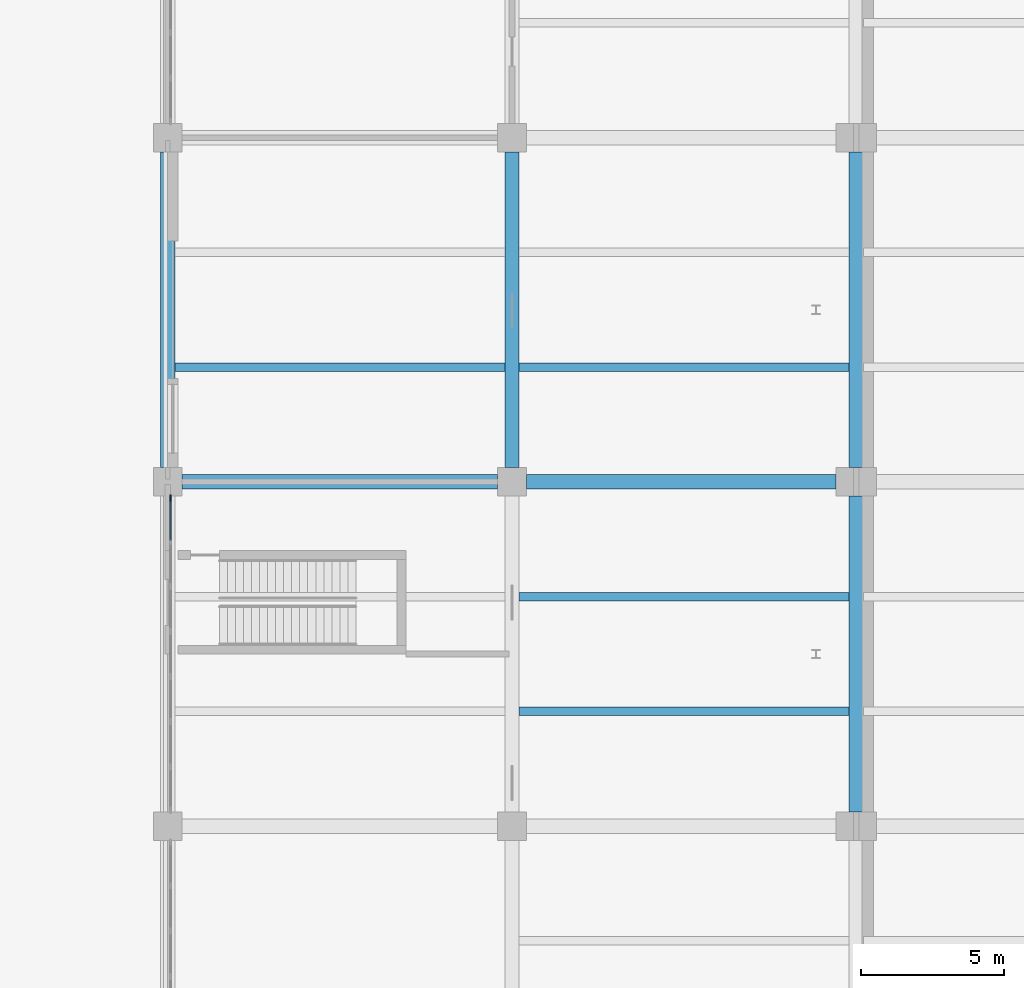
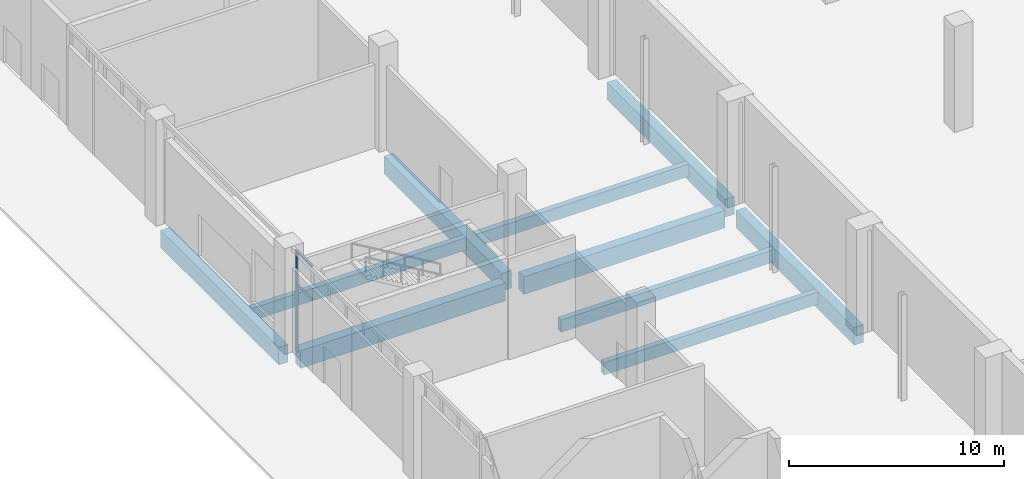
# One storey, part 16 of 59: 10 beams, 3 members, 1 element without a shape of its own.
"""IFC4 building model written with IfcOpenShell, lengths in metres."""

from ifc_helpers import new_model, si_unit, direction, frame, origin, origin_2d, place, context, subcontext, project, spatial, rectangle, extrude, material, layer, layer_set, material_profile, profile_set, type_object, element, aggregate, save


model = new_model("IFC4")

# Units and contexts
model_context = context("Model", 3, precision=1e-05, world=origin(), true_north=direction((0.0, 1.0)))
body_context = subcontext(model_context, "Body", "Model", "MODEL_VIEW")
ifc_project = project(units=[si_unit("LENGTHUNIT", "METRE"), si_unit("AREAUNIT", "SQUARE_METRE"), si_unit("VOLUMEUNIT", "CUBIC_METRE"), si_unit("PLANEANGLEUNIT", "RADIAN"), si_unit("MASSUNIT", "GRAM", prefix="KILO")], contexts=[model_context])

# Site, building, storey
site_placement = place(None, origin())
site = spatial("IfcSite", under=ifc_project, at=site_placement, CompositionType="ELEMENT")
building_placement = place(site_placement, origin())
building = spatial("IfcBuilding", under=site, at=building_placement, Name="Lilac Gate Convention Centre", CompositionType="ELEMENT")
storey_placement = place(building_placement, origin())
storey = spatial("IfcBuildingStorey", under=building, at=storey_placement, Name="L00", CompositionType="ELEMENT", Elevation=0.0)

# Curtain wall, members
ifc_material_1 = material(Name="Aluminium framed double glazing", Category="aluminium")
ifc_layer = layer(ifc_material_1, 0.199951171875)
ifc_layer_set = layer_set([ifc_layer], Name="Aluminium framed double glazing")
curtain_wall_type = type_object("IfcCurtainWallType", Name="Unitised curtain wall 1500", PredefinedType="NOTDEFINED", material=ifc_layer_set)
curtain_wall_placement = place(storey_placement, origin())
curtain_wall = element("IfcCurtainWall", 1, at=curtain_wall_placement, inside=storey, type_object=curtain_wall_type, Name="Curtain wall PW L00 3", PredefinedType="NOTDEFINED")
ifc_material_2 = material(Name="Aluminium alloy 6063", Category="aluminium")
ifc_material_profile_1 = material_profile(ifc_material_2, rectangle(XDim=0.06005859375, YDim=0.219970703125, at=origin_2d()), Name="Curtain wall mullion 60 x 220")
ifc_profile_set_1 = profile_set([ifc_material_profile_1], Name="Aluminium alloy 6063")
member_type_1 = type_object("IfcMemberType", Name="Curtain wall mullion 60 x 220", PredefinedType="MULLION", material=ifc_profile_set_1)
member_1_placement = place(storey_placement, frame((6.10009765625, 185.43994140625, 0.0), z_axis=(0.0, 0.0, 1.0), x_axis=(1.0, 0.0, 0.0)))
member_1 = element("IfcMember", 2, at=member_1_placement, type_object=member_type_1, Name="CW mullion 1", PredefinedType="MULLION", context=body_context, shape_type="SweptSolid", body=[
    extrude(rectangle(XDim=0.06005859375, YDim=0.219970703125, at=origin_2d()), origin(), (0.0, 0.0, 1.0), 5.75),
])
ifc_material_profile_2 = material_profile(ifc_material_2, rectangle(XDim=0.06005859375, YDim=0.1201171875, at=origin_2d()), Name="Curtain wall transom 60 x 120")
ifc_profile_set_2 = profile_set([ifc_material_profile_2], Name="Aluminium alloy 6063")
member_type_2 = type_object("IfcMemberType", Name="Curtain wall transom 60 x 120", PredefinedType="USERDEFINED", material=ifc_profile_set_2)
member_2_placement = place(storey_placement, frame((6.10009765625, 185.43994140625, 3.833251953125), z_axis=(0.0, -1.0, 0.0), x_axis=(1.0, 0.0, 0.0)))
member_2 = element("IfcMember", 3, at=member_2_placement, type_object=member_type_2, Name="CW transom 1.3", ObjectType="TRANSOM", PredefinedType="USERDEFINED", context=body_context, shape_type="SweptSolid", body=[
    extrude(rectangle(XDim=0.06005859375, YDim=0.1201171875, at=origin_2d()), origin(), (0.0, 0.0, 1.0), 1.4814453125),
])
member_3_placement = place(storey_placement, frame((6.10009765625, 185.43994140625, 5.719970703125), z_axis=(0.0, -1.0, 0.0), x_axis=(1.0, 0.0, 0.0)))
member_3 = element("IfcMember", 4, at=member_3_placement, type_object=member_type_2, Name="CW transom 1.4", ObjectType="TRANSOM", PredefinedType="USERDEFINED", context=body_context, shape_type="SweptSolid", body=[
    extrude(rectangle(XDim=0.06005859375, YDim=0.1201171875, at=origin_2d()), origin(), (0.0, 0.0, 1.0), 1.4814453125),
])
aggregate(curtain_wall, [member_1, member_2, member_3])

# Beams
ifc_material_3 = material(Name="Concrete C40", Category="concrete")
ifc_material_profile_3 = material_profile(ifc_material_3, rectangle(XDim=0.5, YDim=1.0, at=origin_2d()), Name="RC 500x1000")
ifc_profile_set_3 = profile_set([ifc_material_profile_3], Name="Concrete C40")
beam_type_1 = type_object("IfcBeamType", Name="Primary beam 500x1000 C40", PredefinedType="BEAM", material=ifc_profile_set_3)
beam_1_placement = place(storey_placement, frame((6.5, 186.0, -0.800048828125), z_axis=(1.0, 0.0, 0.0), x_axis=(0.0, 1.0, 0.0)))
element("IfcBeam", 5, at=beam_1_placement, inside=storey, type_object=beam_type_1, Name="RB1 L00 1/P-2/P", PredefinedType="BEAM", context=body_context, shape_type="SweptSolid", body=[
    extrude(rectangle(XDim=0.5, YDim=1.0, at=origin_2d()), origin(), (0.0, 0.0, 1.0), 11.0),
])
beam_2_placement = place(storey_placement, frame((18.5, 186.0, -0.800048828125), z_axis=(1.0, 0.0, 0.0), x_axis=(0.0, 1.0, 0.0)))
element("IfcBeam", 6, at=beam_2_placement, inside=storey, type_object=beam_type_1, Name="RB1 L00 2/P-3/P", PredefinedType="BEAM", context=body_context, shape_type="SweptSolid", body=[
    extrude(rectangle(XDim=0.5, YDim=1.0, at=origin_2d()), origin(), (0.0, 0.0, 1.0), 10.800048828125),
])
for number, where, z_axis, x_axis, name in (
    (7, (6.0, 186.5, -0.800048828125), (0.0, 1.0, 0.0), (-1.0, 0.0, 0.0), "RB1 L00 1/P-1/Q"),
    (8, (18.0, 186.5, -0.800048828125), (0.0, 1.0, 0.0), (-1.0, 0.0, 0.0), "RB1 L00 2/P-2/Q"),
    (9, (30.0, 174.5, -0.800048828125), (0.0, 1.0, 0.0), (-1.0, 0.0, 0.0), "RB1 L00 3/N-3/P"),
    (10, (30.0, 186.5, -0.800048828125), (0.0, 1.0, 0.0), (-1.0, 0.0, 0.0), "RB1 L00 3/P-3/Q"),
):
    element("IfcBeam", number, at=place(storey_placement, frame(where, z_axis=z_axis, x_axis=x_axis)), inside=storey, type_object=beam_type_1, Name=name, PredefinedType="BEAM", context=body_context, shape_type="SweptSolid", body=[
        extrude(rectangle(XDim=0.5, YDim=1.0, at=origin_2d()), origin(), (0.0, 0.0, 1.0), 11.0),
    ])
ifc_material_profile_4 = material_profile(ifc_material_3, rectangle(XDim=0.300048828125, YDim=0.699951171875, at=origin_2d()), Name="RC 300x700")
ifc_profile_set_4 = profile_set([ifc_material_profile_4], Name="Concrete C40")
beam_type_2 = type_object("IfcBeamType", Name="Secondary beam 300x700 C40", PredefinedType="BEAM", material=ifc_profile_set_4)
for number, where, z_axis, x_axis, name in (
    (11, (6.25, 190.0, -0.64990234375), (1.0, 0.0, 0.0), (0.0, 1.0, 0.0), "RB2 L00 bay 1/P"),
    (12, (18.25, 178.0, -0.64990234375), (1.0, 0.0, 0.0), (0.0, 1.0, 0.0), "RB2 L00 bay 2/N"),
    (13, (18.25, 182.0, -0.64990234375), (1.0, 0.0, 0.0), (0.0, 1.0, 0.0), "RB2 L00 bay 2/N"),
    (14, (18.25, 190.0, -0.64990234375), (1.0, 0.0, 0.0), (0.0, 1.0, 0.0), "RB2 L00 bay 2/P"),
):
    element("IfcBeam", number, at=place(storey_placement, frame(where, z_axis=z_axis, x_axis=x_axis)), inside=storey, type_object=beam_type_2, Name=name, PredefinedType="BEAM", context=body_context, shape_type="SweptSolid", body=[
        extrude(rectangle(XDim=0.300048828125, YDim=0.699951171875, at=origin_2d()), origin(), (0.0, 0.0, 1.0), 11.5),
    ])

save(model, "model.ifc")
